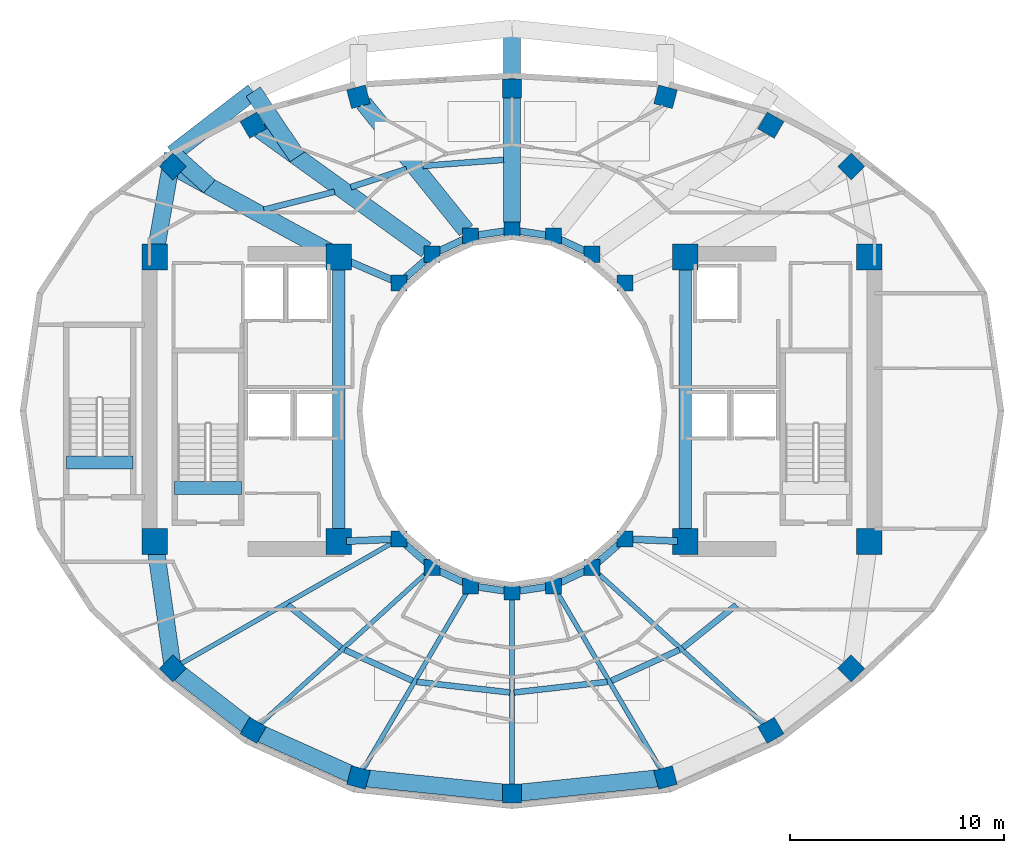
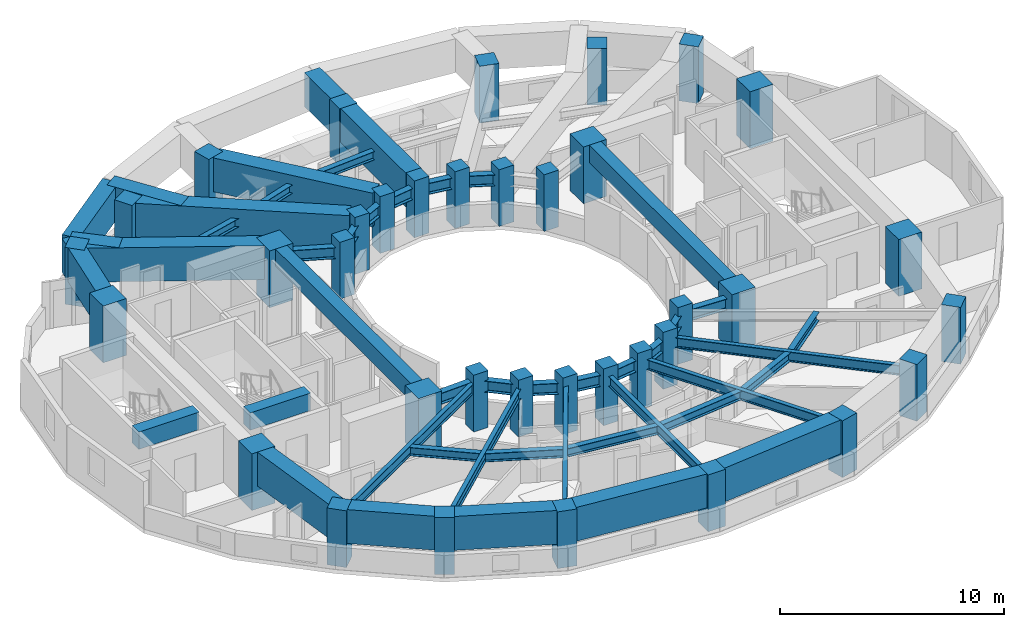
# One storey, part 1 of 9: 46 beams, 36 columns.
"""IFC4 building model written with IfcOpenShell, lengths in metres."""

from ifc_helpers import new_model, si_unit, direction, frame, origin, origin_2d, place, context, subcontext, project, spatial, rectangle, i_section, extrude, material, material_profile, profile_set, type_object, element, save


model = new_model("IFC4")

# Units and contexts
model_context = context("Model", 3, precision=1e-05, world=origin(), true_north=direction((0.0, 1.0)))
body_context = subcontext(model_context, "Body", "Model", "MODEL_VIEW")
ifc_project = project(units=[si_unit("LENGTHUNIT", "METRE"), si_unit("AREAUNIT", "SQUARE_METRE"), si_unit("VOLUMEUNIT", "CUBIC_METRE"), si_unit("PLANEANGLEUNIT", "RADIAN"), si_unit("MASSUNIT", "GRAM", prefix="KILO")], contexts=[model_context])

# Site, building, storey
site_placement = place(None, origin())
site = spatial("IfcSite", under=ifc_project, at=site_placement, CompositionType="ELEMENT")
building_placement = place(site_placement, origin())
building = spatial("IfcBuilding", under=site, at=building_placement, Name="Solvane Sanctuary Tower", CompositionType="ELEMENT")
storey_placement = place(building_placement, frame((0.0, 0.0, 140.5)))
storey = spatial("IfcBuildingStorey", under=building, at=storey_placement, Name="L42", CompositionType="ELEMENT", Elevation=140.5)

# Columns
ifc_material_1 = material(Name="Concrete C50/60", Category="concrete")
ifc_material_profile_1 = material_profile(ifc_material_1, rectangle(XDim=0.75, YDim=0.75, at=origin_2d()), Name="RC750X750")
ifc_profile_set_1 = profile_set([ifc_material_profile_1], Name="Concrete C50/60")
column_type_1 = type_object("IfcColumnType", Name="Column C-RING-Z3 RC750X750", PredefinedType="COLUMN", material=ifc_profile_set_1)
for number, where, z_axis, x_axis, name in (
    (1, (37.27490234375, 28.982177734375, 0.0), (0.0, 0.0, 1.0), (1.0, 0.0, 0.0), "L42 Inner Light-Well Ring Column IC01"),
    (2, (35.72998046875, 30.32666015625, 0.0), (0.0, 0.0, 1.0), (1.0, 0.0, 0.0), "L42 Inner Light-Well Ring Column IC02"),
    (3, (33.930908203125, 31.171630859375, 0.0), (0.0, 0.0, 1.0), (1.0, 0.0, 0.0), "L42 Inner Light-Well Ring Column IC03"),
    (4, (32.0, 31.4599609375, 0.0), (0.0, 0.0, 1.0), (1.0, 0.0, 0.0), "L42 Inner Light-Well Ring Column IC04"),
    (5, (30.069091796875, 31.171630859375, 0.0), (0.0, 0.0, 1.0), (1.0, 0.0, 0.0), "L42 Inner Light-Well Ring Column IC05"),
    (6, (28.27001953125, 30.32666015625, 0.0), (0.0, 0.0, 1.0), (1.0, 0.0, 0.0), "L42 Inner Light-Well Ring Column IC06"),
    (7, (26.72509765625, 28.982177734375, 0.0), (0.0, 0.0, 1.0), (1.0, 0.0, 0.0), "L42 Inner Light-Well Ring Column IC07"),
    (8, (26.72509765625, 17.017822265625, 0.0), (0.0, 0.0, 1.0), (1.0, 0.0, 0.0), "L42 Inner Light-Well Ring Column IC08"),
    (9, (28.27001953125, 15.67333984375, 0.0), (0.0, 0.0, 1.0), (1.0, 0.0, 0.0), "L42 Inner Light-Well Ring Column IC09"),
    (10, (30.069091796875, 14.828369140625, 0.0), (0.0, 0.0, 1.0), (1.0, 0.0, 0.0), "L42 Inner Light-Well Ring Column IC10"),
    (11, (32.0, 14.5400390625, 0.0), (0.0, 0.0, 1.0), (1.0, 0.0, 0.0), "L42 Inner Light-Well Ring Column IC11"),
    (12, (33.930908203125, 14.828369140625, 0.0), (0.0, 0.0, 1.0), (1.0, 0.0, 0.0), "L42 Inner Light-Well Ring Column IC12"),
    (13, (35.72998046875, 15.67333984375, 0.0), (0.0, 0.0, 1.0), (1.0, 0.0, 0.0), "L42 Inner Light-Well Ring Column IC13"),
    (14, (37.27490234375, 17.017822265625, 0.0), (0.0, 0.0, 1.0), (1.0, 0.0, 0.0), "L42 Inner Light-Well Ring Column IC14"),
):
    element("IfcColumn", number, at=place(storey_placement, frame(where, z_axis=z_axis, x_axis=x_axis)), inside=storey, type_object=column_type_1, Name=name, PredefinedType="COLUMN", context=body_context, shape_type="SweptSolid", body=[
        extrude(rectangle(XDim=0.75, YDim=0.75, at=origin_2d()), origin(), (0.0, 0.0, 1.0), 3.10009765625),
    ])
ifc_material_2 = material(Name="Concrete C70/85", Category="concrete")
ifc_material_profile_2 = material_profile(ifc_material_2, rectangle(XDim=1.199951171875, YDim=1.199951171875, at=origin_2d()), Name="RC1200X1200")
ifc_profile_set_2 = profile_set([ifc_material_profile_2], Name="Concrete C70/85")
column_type_2 = type_object("IfcColumnType", Name="Column C-TUBE-Z1 RC1200X1200", PredefinedType="COLUMN", material=ifc_profile_set_2)
for number, where, z_axis, x_axis, name in (
    (15, (15.300048828125, 16.89990234375, 0.0), (0.0, 0.0, 1.0), (1.0, 0.0, 0.0), "L42 Core Corner Column CW1"),
    (16, (23.89990234375, 16.89990234375, 0.0), (0.0, 0.0, 1.0), (1.0, 0.0, 0.0), "L42 Core Corner Column CW2"),
    (17, (23.89990234375, 30.199951171875, 0.0), (0.0, 0.0, 1.0), (1.0, 0.0, 0.0), "L42 Core Corner Column CW3"),
    (18, (15.300048828125, 30.199951171875, 0.0), (0.0, 0.0, 1.0), (1.0, 0.0, 0.0), "L42 Core Corner Column CW4"),
    (19, (40.10009765625, 16.89990234375, 0.0), (0.0, 0.0, 1.0), (1.0, 0.0, 0.0), "L42 Core Corner Column CE1"),
    (20, (48.699951171875, 16.89990234375, 0.0), (0.0, 0.0, 1.0), (1.0, 0.0, 0.0), "L42 Core Corner Column CE2"),
    (21, (48.699951171875, 30.199951171875, 0.0), (0.0, 0.0, 1.0), (1.0, 0.0, 0.0), "L42 Core Corner Column CE3"),
    (22, (40.10009765625, 30.199951171875, 0.0), (0.0, 0.0, 1.0), (1.0, 0.0, 0.0), "L42 Core Corner Column CE4"),
):
    element("IfcColumn", number, at=place(storey_placement, frame(where, z_axis=z_axis, x_axis=x_axis)), inside=storey, type_object=column_type_2, Name=name, PredefinedType="COLUMN", context=body_context, shape_type="SweptSolid", body=[
        extrude(rectangle(XDim=1.199951171875, YDim=1.199951171875, at=origin_2d()), origin(), (0.0, 0.0, 1.0), 3.10009765625),
    ])
ifc_material_3 = material(Name="Concrete C60/75", Category="concrete")
ifc_material_profile_3 = material_profile(ifc_material_3, rectangle(XDim=0.89990234375, YDim=0.89990234375, at=origin_2d()), Name="RC900X900")
ifc_profile_set_3 = profile_set([ifc_material_profile_3], Name="Concrete C60/75")
column_type_3 = type_object("IfcColumnType", Name="Column C-TUBE-Z3 RC900X900", PredefinedType="COLUMN", material=ifc_profile_set_3)
for number, where, z_axis, x_axis, name in (
    (23, (47.856689453125, 34.426513671875, 0.0), (0.0, 0.0, 1.0), (0.707106781187, 0.707106781187, 0.0), "L42 Perimeter Tube Column TC01"),
    (24, (44.09814453125, 36.359375, 0.0), (0.0, 0.0, 1.0), (0.5, 0.866025403784, 0.0), "L42 Perimeter Tube Column TC02"),
    (25, (39.17822265625, 37.686767578125, 0.0), (0.0, 0.0, 1.0), (0.258819045103, 0.965925826289, 0.0), "L42 Perimeter Tube Column TC03"),
    (26, (32.0, 38.080078125, 0.0), (0.0, 0.0, 1.0), (0.0, 1.0, 0.0), "L42 Perimeter Tube Column TC04"),
    (27, (24.82177734375, 37.686767578125, 0.0), (0.0, 0.0, 1.0), (-0.258819045103, 0.965925826289, 0.0), "L42 Perimeter Tube Column TC05"),
    (28, (19.90185546875, 36.359375, 0.0), (0.0, 0.0, 1.0), (-0.5, 0.866025403784, 0.0), "L42 Perimeter Tube Column TC06"),
    (29, (16.143310546875, 34.426513671875, 0.0), (0.0, 0.0, 1.0), (-0.707106781187, 0.707106781187, 0.0), "L42 Perimeter Tube Column TC07"),
    (30, (16.143310546875, 10.968994140625, 0.0), (0.0, 0.0, 1.0), (-0.707106781187, -0.707106781187, 0.0), "L42 Perimeter Tube Column TC08"),
    (31, (19.90185546875, 8.072021484375, 0.0), (0.0, 0.0, 1.0), (-0.5, -0.866025403784, 0.0), "L42 Perimeter Tube Column TC09"),
    (32, (24.82177734375, 5.865478515625, 0.0), (0.0, 0.0, 1.0), (-0.258819045103, -0.965925826289, 0.0), "L42 Perimeter Tube Column TC10"),
    (33, (32.0, 5.1201171875, 0.0), (0.0, 0.0, 1.0), (0.0, -1.0, 0.0), "L42 Perimeter Tube Column TC11"),
    (34, (39.17822265625, 5.865478515625, 0.0), (0.0, 0.0, 1.0), (0.258819045103, -0.965925826289, 0.0), "L42 Perimeter Tube Column TC12"),
    (35, (44.09814453125, 8.072021484375, 0.0), (0.0, 0.0, 1.0), (0.5, -0.866025403784, 0.0), "L42 Perimeter Tube Column TC13"),
    (36, (47.856689453125, 10.968994140625, 0.0), (0.0, 0.0, 1.0), (0.707106781187, -0.707106781187, 0.0), "L42 Perimeter Tube Column TC14"),
):
    element("IfcColumn", number, at=place(storey_placement, frame(where, z_axis=z_axis, x_axis=x_axis)), inside=storey, type_object=column_type_3, Name=name, PredefinedType="COLUMN", context=body_context, shape_type="SweptSolid", body=[
        extrude(rectangle(XDim=0.89990234375, YDim=0.89990234375, at=origin_2d()), origin(), (0.0, 0.0, 1.0), 3.10009765625),
    ])

# Beams
ifc_material_profile_4 = material_profile(ifc_material_2, rectangle(XDim=0.60009765625, YDim=0.949951171875, at=origin_2d()), Name="RC600X950")
ifc_profile_set_4 = profile_set([ifc_material_profile_4], Name="Concrete C70/85")
beam_type_1 = type_object("IfcBeamType", Name="Beam B-COUPLE RC600X950", PredefinedType="LINTEL", material=ifc_profile_set_4)
for number, where, z_axis, x_axis, name in (
    (37, (23.89990234375, 17.35009765625, 2.625), (0.0, 1.0, 0.0), (-1.0, 0.0, 0.0), "L42 West Core Coupling Lintel"),
    (38, (40.10009765625, 17.35009765625, 2.625), (0.0, 1.0, 0.0), (-1.0, 0.0, 0.0), "L42 East Core Coupling Lintel"),
):
    element("IfcBeam", number, at=place(storey_placement, frame(where, z_axis=z_axis, x_axis=x_axis)), inside=storey, type_object=beam_type_1, Name=name, PredefinedType="LINTEL", context=body_context, shape_type="SweptSolid", body=[
        extrude(rectangle(XDim=0.60009765625, YDim=0.949951171875, at=origin_2d()), origin(), (0.0, 0.0, 1.0), 12.39990234375),
    ])
for number, where, z_axis, x_axis, name in (
    (39, (16.22998046875, 19.399169921875, 2.625), (1.0, 0.0, 0.0), (0.0, 1.0, 0.0), "L42 ST-1 Stair Floor Landing Trimmer"),
    (40, (11.169921875, 20.59912109375, 2.625), (1.0, 0.0, 0.0), (0.0, 1.0, 0.0), "L42 ST-3 Stair Floor Landing Trimmer"),
):
    element("IfcBeam", number, at=place(storey_placement, frame(where, z_axis=z_axis, x_axis=x_axis)), inside=storey, type_object=beam_type_1, Name=name, PredefinedType="LINTEL", context=body_context, shape_type="SweptSolid", body=[
        extrude(rectangle(XDim=0.60009765625, YDim=0.949951171875, at=origin_2d()), origin(), (0.0, 0.0, 1.0), 3.1201171875),
    ])
ifc_material_4 = material(Name="Steel ASTM A992 Grade 50", Category="steel")
ifc_material_profile_5 = material_profile(ifc_material_4, i_section(OverallWidth=0.214111328125, OverallDepth=0.549072265625, WebThickness=0.0146484375, FlangeThickness=0.023681640625, FilletRadius=0.014892578125, at=origin_2d()), Name="W21X93")
ifc_profile_set_5 = profile_set([ifc_material_profile_5], Name="Steel ASTM A992 Grade 50")
beam_type_2 = type_object("IfcBeamType", Name="Beam B-RAD-Z3 W21X93", PredefinedType="JOIST", material=ifc_profile_set_5)
beam_1_placement = place(storey_placement, frame((26.48193359375, 16.87890625, 2.323486328125), z_axis=(-0.86816302692, -0.496279113694, 0.0), x_axis=(0.496279113694, -0.86816302692, 0.0)))
element("IfcBeam", 41, at=beam_1_placement, inside=storey, type_object=beam_type_2, Name="L42 Radial Composite Floor Beam 08", PredefinedType="JOIST", context=body_context, shape_type="SweptSolid", body=[
    extrude(i_section(OverallWidth=0.214111328125, OverallDepth=0.549072265625, WebThickness=0.0146484375, FlangeThickness=0.023681640625, FilletRadius=0.014892578125, at=origin_2d()), origin(), (0.0, 0.0, 1.0), 11.62841796875),
])
beam_2_placement = place(storey_placement, frame((28.062744140625, 15.485107421875, 2.323486328125), z_axis=(-0.74020423772, -0.672382098558, 0.0), x_axis=(0.672382098558, -0.74020423772, 0.0)))
element("IfcBeam", 42, at=beam_2_placement, inside=storey, type_object=beam_type_2, Name="L42 Radial Composite Floor Beam 09", PredefinedType="JOIST", context=body_context, shape_type="SweptSolid", body=[
    extrude(i_section(OverallWidth=0.214111328125, OverallDepth=0.549072265625, WebThickness=0.0146484375, FlangeThickness=0.023681640625, FilletRadius=0.014892578125, at=origin_2d()), origin(), (0.0, 0.0, 1.0), 10.7451171875),
])
beam_3_placement = place(storey_placement, frame((29.927734375, 14.586669921875, 2.323486328125), z_axis=(-0.505243742555, -0.862976686017, 0.0), x_axis=(0.862976686017, -0.505243742555, 0.0)))
element("IfcBeam", 43, at=beam_3_placement, inside=storey, type_object=beam_type_2, Name="L42 Radial Composite Floor Beam 10", PredefinedType="JOIST", context=body_context, shape_type="SweptSolid", body=[
    extrude(i_section(OverallWidth=0.214111328125, OverallDepth=0.549072265625, WebThickness=0.0146484375, FlangeThickness=0.023681640625, FilletRadius=0.014892578125, at=origin_2d()), origin(), (0.0, 0.0, 1.0), 9.826171875),
])
beam_4_placement = place(storey_placement, frame((32.0, 14.260009765625, 2.323486328125), z_axis=(0.0, -1.0, 0.0), x_axis=(1.0, 0.0, 0.0)))
element("IfcBeam", 44, at=beam_4_placement, inside=storey, type_object=beam_type_2, Name="L42 Radial Composite Floor Beam 11", PredefinedType="JOIST", context=body_context, shape_type="SweptSolid", body=[
    extrude(i_section(OverallWidth=0.214111328125, OverallDepth=0.549072265625, WebThickness=0.0146484375, FlangeThickness=0.023681640625, FilletRadius=0.014892578125, at=origin_2d()), origin(), (0.0, 0.0, 1.0), 8.860107421875),
])
beam_5_placement = place(storey_placement, frame((34.072265625, 14.586669921875, 2.323486328125), z_axis=(0.505243742555, -0.862976686017, 0.0), x_axis=(0.862976686017, 0.505243742555, 0.0)))
element("IfcBeam", 45, at=beam_5_placement, inside=storey, type_object=beam_type_2, Name="L42 Radial Composite Floor Beam 12", PredefinedType="JOIST", context=body_context, shape_type="SweptSolid", body=[
    extrude(i_section(OverallWidth=0.214111328125, OverallDepth=0.549072265625, WebThickness=0.0146484375, FlangeThickness=0.023681640625, FilletRadius=0.014892578125, at=origin_2d()), origin(), (0.0, 0.0, 1.0), 9.826171875),
])
beam_6_placement = place(storey_placement, frame((35.937255859375, 15.485107421875, 2.323486328125), z_axis=(0.74020423772, -0.672382098558, 0.0), x_axis=(0.672382098558, 0.74020423772, 0.0)))
element("IfcBeam", 46, at=beam_6_placement, inside=storey, type_object=beam_type_2, Name="L42 Radial Composite Floor Beam 13", PredefinedType="JOIST", context=body_context, shape_type="SweptSolid", body=[
    extrude(i_section(OverallWidth=0.214111328125, OverallDepth=0.549072265625, WebThickness=0.0146484375, FlangeThickness=0.023681640625, FilletRadius=0.014892578125, at=origin_2d()), origin(), (0.0, 0.0, 1.0), 10.7451171875),
])
ifc_material_profile_6 = material_profile(ifc_material_4, i_section(OverallWidth=0.324951171875, OverallDepth=0.615966796875, WebThickness=0.013916015625, FlangeThickness=0.021484375, FilletRadius=0.01611328125, at=origin_2d()), Name="W24X117")
ifc_profile_set_6 = profile_set([ifc_material_profile_6], Name="Steel ASTM A992 Grade 50")
beam_type_3 = type_object("IfcBeamType", Name="Beam B-RING-IN2 W24X117", PredefinedType="BEAM", material=ifc_profile_set_6)
beam_7_placement = place(storey_placement, frame((24.230712890625, 30.0576171875, 2.2900390625), z_axis=(0.918264067649, -0.395968561966, 0.0), x_axis=(0.395968561966, 0.918264067649, 0.0)))
element("IfcBeam", 47, at=beam_7_placement, inside=storey, type_object=beam_type_3, Name="L42 Inner Light-Well Ring Beam CW3-IC07", PredefinedType="BEAM", context=body_context, shape_type="SweptSolid", body=[
    extrude(i_section(OverallWidth=0.324951171875, OverallDepth=0.615966796875, WebThickness=0.013916015625, FlangeThickness=0.021484375, FilletRadius=0.01611328125, at=origin_2d()), origin(), (0.0, 0.0, 1.0), 2.371337890625),
])
beam_8_placement = place(storey_placement, frame((26.9853515625, 29.20849609375, 2.2900390625), z_axis=(0.754311313851, 0.656516901379, 0.0), x_axis=(-0.656516901379, 0.754311313851, 0.0)))
element("IfcBeam", 48, at=beam_8_placement, inside=storey, type_object=beam_type_3, Name="L42 Inner Light-Well Ring Beam IC07-IC06", PredefinedType="BEAM", context=body_context, shape_type="SweptSolid", body=[
    extrude(i_section(OverallWidth=0.324951171875, OverallDepth=0.615966796875, WebThickness=0.013916015625, FlangeThickness=0.021484375, FilletRadius=0.01611328125, at=origin_2d()), origin(), (0.0, 0.0, 1.0), 1.358154296875),
])
beam_9_placement = place(storey_placement, frame((28.582275390625, 30.473388671875, 2.2900390625), z_axis=(0.9051808128, 0.425026700502, 0.0), x_axis=(-0.425026700502, 0.9051808128, 0.0)))
element("IfcBeam", 49, at=beam_9_placement, inside=storey, type_object=beam_type_3, Name="L42 Inner Light-Well Ring Beam IC06-IC05", PredefinedType="BEAM", context=body_context, shape_type="SweptSolid", body=[
    extrude(i_section(OverallWidth=0.324951171875, OverallDepth=0.615966796875, WebThickness=0.013916015625, FlangeThickness=0.021484375, FilletRadius=0.01611328125, at=origin_2d()), origin(), (0.0, 0.0, 1.0), 1.297607421875),
])
for number, where, z_axis, x_axis, name in (
    (50, (30.410400390625, 31.22265625, 2.2900390625), (0.989019905763, 0.147782360259, 0.0), (-0.147782360259, 0.989019905763, 0.0), "L42 Inner Light-Well Ring Beam IC05-IC04"),
    (51, (32.34130859375, 31.4091796875, 2.2900390625), (0.989019905763, -0.147782360259, 0.0), (0.147782360259, 0.989019905763, 0.0), "L42 Inner Light-Well Ring Beam IC04-IC03"),
):
    element("IfcBeam", number, at=place(storey_placement, frame(where, z_axis=z_axis, x_axis=x_axis)), inside=storey, type_object=beam_type_3, Name=name, PredefinedType="BEAM", context=body_context, shape_type="SweptSolid", body=[
        extrude(i_section(OverallWidth=0.324951171875, OverallDepth=0.615966796875, WebThickness=0.013916015625, FlangeThickness=0.021484375, FilletRadius=0.01611328125, at=origin_2d()), origin(), (0.0, 0.0, 1.0), 1.26220703125),
    ])
beam_10_placement = place(storey_placement, frame((34.2431640625, 31.02490234375, 2.2900390625), z_axis=(0.9051808128, -0.425026700502, 0.0), x_axis=(0.425026700502, 0.9051808128, 0.0)))
element("IfcBeam", 52, at=beam_10_placement, inside=storey, type_object=beam_type_3, Name="L42 Inner Light-Well Ring Beam IC03-IC02", PredefinedType="BEAM", context=body_context, shape_type="SweptSolid", body=[
    extrude(i_section(OverallWidth=0.324951171875, OverallDepth=0.615966796875, WebThickness=0.013916015625, FlangeThickness=0.021484375, FilletRadius=0.01611328125, at=origin_2d()), origin(), (0.0, 0.0, 1.0), 1.297607421875),
])
beam_11_placement = place(storey_placement, frame((24.259765625, 16.9150390625, 2.2900390625), z_axis=(0.999132674336, 0.041640113759, 0.0), x_axis=(-0.041640113759, 0.999132674336, 0.0)))
element("IfcBeam", 53, at=beam_11_placement, inside=storey, type_object=beam_type_3, Name="L42 Inner Light-Well Ring Beam CW2-IC08", PredefinedType="BEAM", context=body_context, shape_type="SweptSolid", body=[
    extrude(i_section(OverallWidth=0.324951171875, OverallDepth=0.615966796875, WebThickness=0.013916015625, FlangeThickness=0.021484375, FilletRadius=0.01611328125, at=origin_2d()), origin(), (0.0, 0.0, 1.0), 2.12255859375),
])
beam_12_placement = place(storey_placement, frame((26.9853515625, 16.79150390625, 2.2900390625), z_axis=(0.754311313851, -0.656516901379, 0.0), x_axis=(0.656516901379, 0.754311313851, 0.0)))
element("IfcBeam", 54, at=beam_12_placement, inside=storey, type_object=beam_type_3, Name="L42 Inner Light-Well Ring Beam IC08-IC09", PredefinedType="BEAM", context=body_context, shape_type="SweptSolid", body=[
    extrude(i_section(OverallWidth=0.324951171875, OverallDepth=0.615966796875, WebThickness=0.013916015625, FlangeThickness=0.021484375, FilletRadius=0.01611328125, at=origin_2d()), origin(), (0.0, 0.0, 1.0), 1.358154296875),
])
beam_13_placement = place(storey_placement, frame((28.582275390625, 15.526611328125, 2.2900390625), z_axis=(0.9051808128, -0.425026700502, 0.0), x_axis=(0.425026700502, 0.9051808128, 0.0)))
element("IfcBeam", 55, at=beam_13_placement, inside=storey, type_object=beam_type_3, Name="L42 Inner Light-Well Ring Beam IC09-IC10", PredefinedType="BEAM", context=body_context, shape_type="SweptSolid", body=[
    extrude(i_section(OverallWidth=0.324951171875, OverallDepth=0.615966796875, WebThickness=0.013916015625, FlangeThickness=0.021484375, FilletRadius=0.01611328125, at=origin_2d()), origin(), (0.0, 0.0, 1.0), 1.297607421875),
])
for number, where, z_axis, x_axis, name in (
    (56, (30.410400390625, 14.77734375, 2.2900390625), (0.989019905763, -0.147782360259, 0.0), (0.147782360259, 0.989019905763, 0.0), "L42 Inner Light-Well Ring Beam IC10-IC11"),
    (57, (32.34130859375, 14.5908203125, 2.2900390625), (0.989019905763, 0.147782360259, 0.0), (-0.147782360259, 0.989019905763, 0.0), "L42 Inner Light-Well Ring Beam IC11-IC12"),
):
    element("IfcBeam", number, at=place(storey_placement, frame(where, z_axis=z_axis, x_axis=x_axis)), inside=storey, type_object=beam_type_3, Name=name, PredefinedType="BEAM", context=body_context, shape_type="SweptSolid", body=[
        extrude(i_section(OverallWidth=0.324951171875, OverallDepth=0.615966796875, WebThickness=0.013916015625, FlangeThickness=0.021484375, FilletRadius=0.01611328125, at=origin_2d()), origin(), (0.0, 0.0, 1.0), 1.26220703125),
    ])
beam_14_placement = place(storey_placement, frame((34.2431640625, 14.97509765625, 2.2900390625), z_axis=(0.9051808128, 0.425026700502, 0.0), x_axis=(-0.425026700502, 0.9051808128, 0.0)))
element("IfcBeam", 58, at=beam_14_placement, inside=storey, type_object=beam_type_3, Name="L42 Inner Light-Well Ring Beam IC12-IC13", PredefinedType="BEAM", context=body_context, shape_type="SweptSolid", body=[
    extrude(i_section(OverallWidth=0.324951171875, OverallDepth=0.615966796875, WebThickness=0.013916015625, FlangeThickness=0.021484375, FilletRadius=0.01611328125, at=origin_2d()), origin(), (0.0, 0.0, 1.0), 1.297607421875),
])
beam_15_placement = place(storey_placement, frame((35.990234375, 15.89990234375, 2.2900390625), z_axis=(0.754311313851, 0.656516901379, 0.0), x_axis=(-0.656516901379, 0.754311313851, 0.0)))
element("IfcBeam", 59, at=beam_15_placement, inside=storey, type_object=beam_type_3, Name="L42 Inner Light-Well Ring Beam IC13-IC14", PredefinedType="BEAM", context=body_context, shape_type="SweptSolid", body=[
    extrude(i_section(OverallWidth=0.324951171875, OverallDepth=0.615966796875, WebThickness=0.013916015625, FlangeThickness=0.021484375, FilletRadius=0.01611328125, at=origin_2d()), origin(), (0.0, 0.0, 1.0), 1.358154296875),
])
beam_16_placement = place(storey_placement, frame((37.61962890625, 17.00341796875, 2.2900390625), z_axis=(0.999132674336, -0.041640113759, 0.0), x_axis=(0.041640113759, 0.999132674336, 0.0)))
element("IfcBeam", 60, at=beam_16_placement, inside=storey, type_object=beam_type_3, Name="L42 Inner Light-Well Ring Beam IC14-CE1", PredefinedType="BEAM", context=body_context, shape_type="SweptSolid", body=[
    extrude(i_section(OverallWidth=0.324951171875, OverallDepth=0.615966796875, WebThickness=0.013916015625, FlangeThickness=0.021484375, FilletRadius=0.01611328125, at=origin_2d()), origin(), (0.0, 0.0, 1.0), 2.12255859375),
])
ifc_material_profile_7 = material_profile(ifc_material_4, i_section(OverallWidth=0.280029296875, OverallDepth=0.462890625, WebThickness=0.0107421875, FlangeThickness=0.017333984375, FilletRadius=0.013916015625, at=origin_2d()), Name="W18X76")
ifc_profile_set_7 = profile_set([ifc_material_profile_7], Name="Steel ASTM A992 Grade 50")
beam_type_4 = type_object("IfcBeamType", Name="Beam B-SEC-JOIST W18X76", PredefinedType="JOIST", material=ifc_profile_set_7)
beam_17_placement = place(storey_placement, frame((20.404541015625, 32.41015625, 2.366455078125), z_axis=(0.969356710845, 0.245657418247, 0.0), x_axis=(-0.245657418247, 0.969356710845, 0.0)))
element("IfcBeam", 61, at=beam_17_placement, inside=storey, type_object=beam_type_4, Name="L42 Secondary Circumferential Joist 07-06", PredefinedType="JOIST", context=body_context, shape_type="SweptSolid", body=[
    extrude(i_section(OverallWidth=0.280029296875, OverallDepth=0.462890625, WebThickness=0.0107421875, FlangeThickness=0.017333984375, FilletRadius=0.013916015625, at=origin_2d()), origin(), (0.0, 0.0, 1.0), 3.40283203125),
])
beam_18_placement = place(storey_placement, frame((24.4619140625, 33.464599609375, 2.366455078125), z_axis=(0.951512791017, 0.30760918148, 0.0), x_axis=(-0.30760918148, 0.951512791017, 0.0)))
element("IfcBeam", 62, at=beam_18_placement, inside=storey, type_object=beam_type_4, Name="L42 Secondary Circumferential Joist 06-05", PredefinedType="JOIST", context=body_context, shape_type="SweptSolid", body=[
    extrude(i_section(OverallWidth=0.280029296875, OverallDepth=0.462890625, WebThickness=0.0107421875, FlangeThickness=0.017333984375, FilletRadius=0.013916015625, at=origin_2d()), origin(), (0.0, 0.0, 1.0), 2.740478515625),
])
beam_19_placement = place(storey_placement, frame((27.83935546875, 34.458740234375, 2.366455078125), z_axis=(0.997214593532, 0.074585886379, 0.0), x_axis=(-0.074585886379, 0.997214593532, 0.0)))
element("IfcBeam", 63, at=beam_19_placement, inside=storey, type_object=beam_type_4, Name="L42 Secondary Circumferential Joist 05-04", PredefinedType="JOIST", context=body_context, shape_type="SweptSolid", body=[
    extrude(i_section(OverallWidth=0.280029296875, OverallDepth=0.462890625, WebThickness=0.0107421875, FlangeThickness=0.017333984375, FilletRadius=0.013916015625, at=origin_2d()), origin(), (0.0, 0.0, 1.0), 3.77734375),
])
beam_20_placement = place(storey_placement, frame((21.513916015625, 13.9296875, 2.366455078125), z_axis=(0.780950896308, -0.62459242515, 0.0), x_axis=(0.62459242515, 0.780950896308, 0.0)))
element("IfcBeam", 64, at=beam_20_placement, inside=storey, type_object=beam_type_4, Name="L42 Secondary Circumferential Joist 08-09", PredefinedType="JOIST", context=body_context, shape_type="SweptSolid", body=[
    extrude(i_section(OverallWidth=0.280029296875, OverallDepth=0.462890625, WebThickness=0.0107421875, FlangeThickness=0.017333984375, FilletRadius=0.013916015625, at=origin_2d()), origin(), (0.0, 0.0, 1.0), 3.191650390625),
])
beam_21_placement = place(storey_placement, frame((24.178955078125, 11.83056640625, 2.366455078125), z_axis=(0.910462399508, -0.413591850842, 0.0), x_axis=(0.413591850842, 0.910462399508, 0.0)))
element("IfcBeam", 65, at=beam_21_placement, inside=storey, type_object=beam_type_4, Name="L42 Secondary Circumferential Joist 09-10", PredefinedType="JOIST", context=body_context, shape_type="SweptSolid", body=[
    extrude(i_section(OverallWidth=0.280029296875, OverallDepth=0.462890625, WebThickness=0.0107421875, FlangeThickness=0.017333984375, FilletRadius=0.013916015625, at=origin_2d()), origin(), (0.0, 0.0, 1.0), 3.485595703125),
])
for number, where, z_axis, x_axis, name in (
    (66, (27.546875, 10.335205078125, 2.366455078125), (0.993627549834, -0.112713318696, 0.0), (0.112713318696, 0.993627549834, 0.0), "L42 Secondary Circumferential Joist 10-11"),
    (67, (32.101318359375, 9.841552734375, 2.366455078125), (0.993627549834, 0.112713318696, 0.0), (-0.112713318696, 0.993627549834, 0.0), "L42 Secondary Circumferential Joist 11-12"),
):
    element("IfcBeam", number, at=place(storey_placement, frame(where, z_axis=z_axis, x_axis=x_axis)), inside=storey, type_object=beam_type_4, Name=name, PredefinedType="JOIST", context=body_context, shape_type="SweptSolid", body=[
        extrude(i_section(OverallWidth=0.280029296875, OverallDepth=0.462890625, WebThickness=0.0107421875, FlangeThickness=0.017333984375, FilletRadius=0.013916015625, at=origin_2d()), origin(), (0.0, 0.0, 1.0), 4.379638671875),
    ])
beam_22_placement = place(storey_placement, frame((36.6474609375, 10.388916015625, 2.366455078125), z_axis=(0.910474379443, 0.413565477739, 0.0), x_axis=(-0.413565477739, 0.910474379443, 0.0)))
element("IfcBeam", 68, at=beam_22_placement, inside=storey, type_object=beam_type_4, Name="L42 Secondary Circumferential Joist 12-13", PredefinedType="JOIST", context=body_context, shape_type="SweptSolid", body=[
    extrude(i_section(OverallWidth=0.280029296875, OverallDepth=0.462890625, WebThickness=0.0107421875, FlangeThickness=0.017333984375, FilletRadius=0.013916015625, at=origin_2d()), origin(), (0.0, 0.0, 1.0), 3.48583984375),
])
beam_23_placement = place(storey_placement, frame((39.993896484375, 11.936279296875, 2.366455078125), z_axis=(0.78092105122, 0.624629739735, 0.0), x_axis=(-0.624629739735, 0.78092105122, 0.0)))
element("IfcBeam", 69, at=beam_23_placement, inside=storey, type_object=beam_type_4, Name="L42 Secondary Circumferential Joist 13-14", PredefinedType="JOIST", context=body_context, shape_type="SweptSolid", body=[
    extrude(i_section(OverallWidth=0.280029296875, OverallDepth=0.462890625, WebThickness=0.0107421875, FlangeThickness=0.017333984375, FilletRadius=0.013916015625, at=origin_2d()), origin(), (0.0, 0.0, 1.0), 3.19140625),
])
ifc_material_profile_8 = material_profile(ifc_material_2, rectangle(XDim=0.800048828125, YDim=1.85009765625, at=origin_2d()), Name="RC800X1850")
ifc_profile_set_8 = profile_set([ifc_material_profile_8], Name="Concrete C70/85")
beam_type_5 = type_object("IfcBeamType", Name="Beam B-XFER-BLK RC800X1850", PredefinedType="BEAM", material=ifc_profile_set_8)
beam_24_placement = place(storey_placement, frame((32.0, 31.804931640625, 2.175048828125), z_axis=(0.0, 1.0, 0.0), x_axis=(-1.0, 0.0, 0.0)))
element("IfcBeam", 70, at=beam_24_placement, inside=storey, type_object=beam_type_5, Name="L42 Block-Shift Radial Transfer Girder 04A", PredefinedType="BEAM", context=body_context, shape_type="SweptSolid", body=[
    extrude(rectangle(XDim=0.800048828125, YDim=1.85009765625, at=origin_2d()), origin(), (0.0, 0.0, 1.0), 9.074951171875),
])
beam_25_placement = place(storey_placement, frame((29.852783203125, 31.4404296875, 2.175048828125), z_axis=(-0.627295131383, 0.778781624169, 0.0), x_axis=(-0.778781624169, -0.627295131383, 0.0)))
element("IfcBeam", 71, at=beam_25_placement, inside=storey, type_object=beam_type_5, Name="L42 Block-Shift Radial Transfer Girder 05A", PredefinedType="BEAM", context=body_context, shape_type="SweptSolid", body=[
    extrude(rectangle(XDim=0.800048828125, YDim=1.85009765625, at=origin_2d()), origin(), (0.0, 0.0, 1.0), 7.650390625),
])
beam_26_placement = place(storey_placement, frame((27.989990234375, 30.5283203125, 2.175048828125), z_axis=(-0.811184514133, 0.584790290643, 0.0), x_axis=(-0.584790290643, -0.811184514133, 0.0)))
element("IfcBeam", 72, at=beam_26_placement, inside=storey, type_object=beam_type_5, Name="L42 Block-Shift Radial Transfer Girder 06A", PredefinedType="BEAM", context=body_context, shape_type="SweptSolid", body=[
    extrude(rectangle(XDim=0.800048828125, YDim=1.85009765625, at=origin_2d()), origin(), (0.0, 0.0, 1.0), 9.600830078125),
])
beam_27_placement = place(storey_placement, frame((21.96337890625, 34.873291015625, 2.175048828125), z_axis=(-0.559400033837, 0.828897823705, 0.0), x_axis=(-0.828897823705, -0.559400033837, 0.0)))
element("IfcBeam", 73, at=beam_27_placement, inside=storey, type_object=beam_type_5, Name="L42 Block-Shift Transfer Tie 06B", PredefinedType="BEAM", context=body_context, shape_type="SweptSolid", body=[
    extrude(rectangle(XDim=0.800048828125, YDim=1.85009765625, at=origin_2d()), origin(), (0.0, 0.0, 1.0), 3.685302734375),
])
beam_28_placement = place(storey_placement, frame((23.583984375, 30.372314453125, 2.175048828125), z_axis=(-0.878108492406, 0.47846157167, 0.0), x_axis=(-0.47846157167, -0.878108492406, 0.0)))
element("IfcBeam", 74, at=beam_28_placement, inside=storey, type_object=beam_type_5, Name="L42 Block-Shift Radial Transfer Girder 07A", PredefinedType="BEAM", context=body_context, shape_type="SweptSolid", body=[
    extrude(rectangle(XDim=0.800048828125, YDim=1.85009765625, at=origin_2d()), origin(), (0.0, 0.0, 1.0), 8.103515625),
])
beam_29_placement = place(storey_placement, frame((17.855712890625, 33.493408203125, 2.175048828125), z_axis=(-0.744063778649, 0.668108593945, 0.0), x_axis=(-0.668108593945, -0.744063778649, 0.0)))
element("IfcBeam", 75, at=beam_29_placement, inside=storey, type_object=beam_type_5, Name="L42 Block-Shift Transfer Tie 07B", PredefinedType="BEAM", context=body_context, shape_type="SweptSolid", body=[
    extrude(rectangle(XDim=0.800048828125, YDim=1.85009765625, at=origin_2d()), origin(), (0.0, 0.0, 1.0), 2.301513671875),
])
beam_30_placement = place(storey_placement, frame((15.36181640625, 30.5546875, 2.175048828125), z_axis=(0.171982816413, 0.98509994968, 0.0), x_axis=(-0.98509994968, 0.171982816413, 0.0)))
element("IfcBeam", 76, at=beam_30_placement, inside=storey, type_object=beam_type_5, Name="L42 Perimeter Step Transfer Ring CW4-NTC07", PredefinedType="BEAM", context=body_context, shape_type="SweptSolid", body=[
    extrude(rectangle(XDim=0.800048828125, YDim=1.85009765625, at=origin_2d()), origin(), (0.0, 0.0, 1.0), 4.5439453125),
])
beam_31_placement = place(storey_placement, frame((16.143310546875, 35.031005859375, 2.175048828125), z_axis=(0.792034554649, 0.610476260179, 0.0), x_axis=(-0.610476260179, 0.792034554649, 0.0)))
element("IfcBeam", 77, at=beam_31_placement, inside=storey, type_object=beam_type_5, Name="L42 Perimeter Step Transfer Ring NTC07-NTC06", PredefinedType="BEAM", context=body_context, shape_type="SweptSolid", body=[
    extrude(rectangle(XDim=0.800048828125, YDim=1.85009765625, at=origin_2d()), origin(), (0.0, 0.0, 1.0), 4.745361328125),
])
beam_32_placement = place(storey_placement, frame((15.3505859375, 16.543701171875, 2.175048828125), z_axis=(0.1407839619, -0.990040340628, 0.0), x_axis=(0.990040340628, 0.1407839619, 0.0)))
element("IfcBeam", 78, at=beam_32_placement, inside=storey, type_object=beam_type_5, Name="L42 Perimeter Step Transfer Ring CW1-NTC08", PredefinedType="BEAM", context=body_context, shape_type="SweptSolid", body=[
    extrude(rectangle(XDim=0.800048828125, YDim=1.85009765625, at=origin_2d()), origin(), (0.0, 0.0, 1.0), 5.630859375),
])
beam_33_placement = place(storey_placement, frame((16.143310546875, 10.968994140625, 2.175048828125), z_axis=(0.792034554649, -0.610476260179, 0.0), x_axis=(0.610476260179, 0.792034554649, 0.0)))
element("IfcBeam", 79, at=beam_33_placement, inside=storey, type_object=beam_type_5, Name="L42 Perimeter Step Transfer Ring NTC08-NTC09", PredefinedType="BEAM", context=body_context, shape_type="SweptSolid", body=[
    extrude(rectangle(XDim=0.800048828125, YDim=1.85009765625, at=origin_2d()), origin(), (0.0, 0.0, 1.0), 4.745361328125),
])
beam_34_placement = place(storey_placement, frame((19.90185546875, 8.072021484375, 2.175048828125), z_axis=(0.912435879272, -0.409219704092, 0.0), x_axis=(0.409219704092, 0.912435879272, 0.0)))
element("IfcBeam", 80, at=beam_34_placement, inside=storey, type_object=beam_type_5, Name="L42 Perimeter Step Transfer Ring NTC09-NTC10", PredefinedType="BEAM", context=body_context, shape_type="SweptSolid", body=[
    extrude(rectangle(XDim=0.800048828125, YDim=1.85009765625, at=origin_2d()), origin(), (0.0, 0.0, 1.0), 5.39208984375),
])
for number, where, z_axis, x_axis, name in (
    (81, (24.82177734375, 5.865478515625, 2.175048828125), (0.994652199756, -0.10328117699, 0.0), (0.10328117699, 0.994652199756, 0.0), "L42 Perimeter Step Transfer Ring NTC10-NTC11"),
    (82, (32.0, 5.1201171875, 2.175048828125), (0.994652199756, 0.10328117699, 0.0), (-0.10328117699, 0.994652199756, 0.0), "L42 Perimeter Step Transfer Ring NTC11-NTC12"),
):
    element("IfcBeam", number, at=place(storey_placement, frame(where, z_axis=z_axis, x_axis=x_axis)), inside=storey, type_object=beam_type_5, Name=name, PredefinedType="BEAM", context=body_context, shape_type="SweptSolid", body=[
        extrude(rectangle(XDim=0.800048828125, YDim=1.85009765625, at=origin_2d()), origin(), (0.0, 0.0, 1.0), 7.216796875),
    ])

save(model, "model.ifc")
